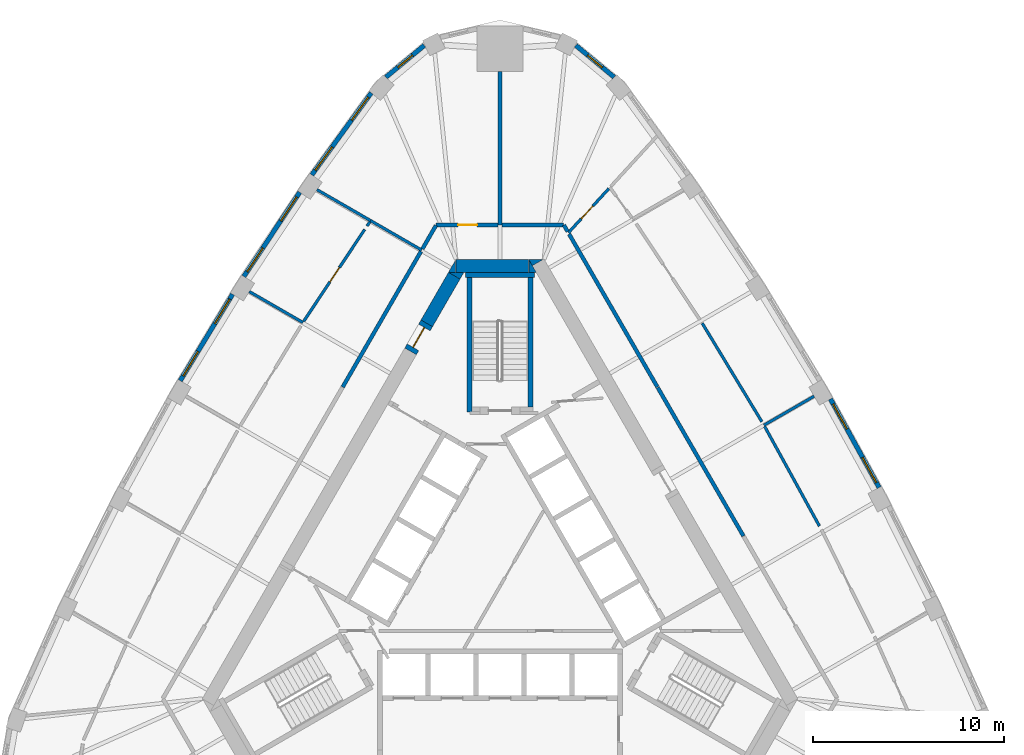
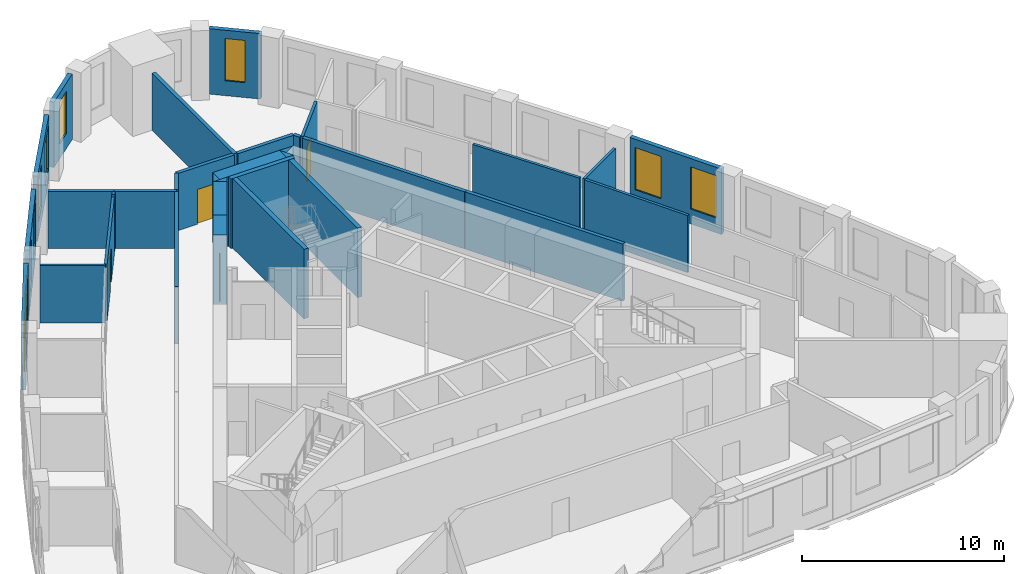
# One storey, part 8 of 11: 33 walls, 10 windows, 4 doors, 14 openings.
"""IFC4 building model written with IfcOpenShell, lengths in metres."""

from ifc_helpers import new_model, si_unit, direction, frame, frame_2d, origin, place, context, subcontext, project, spatial, polyline, rectangle, outline, extrude, material, layer, layer_set, type_object, element, fill, save


model = new_model("IFC4")

# Units and contexts
model_context = context("Model", 3, precision=1e-05, world=origin(), true_north=direction((0.0, 1.0)))
body_context = subcontext(model_context, "Body", "Model", "MODEL_VIEW")
ifc_project = project(units=[si_unit("LENGTHUNIT", "METRE"), si_unit("AREAUNIT", "SQUARE_METRE"), si_unit("VOLUMEUNIT", "CUBIC_METRE"), si_unit("PLANEANGLEUNIT", "RADIAN"), si_unit("MASSUNIT", "GRAM", prefix="KILO")], contexts=[model_context])

# Site, building, storey
site_placement = place(None, origin())
site = spatial("IfcSite", under=ifc_project, at=site_placement, CompositionType="ELEMENT")
building_placement = place(site_placement, origin())
building = spatial("IfcBuilding", under=site, at=building_placement, Name="Mestral Congress Tower", CompositionType="ELEMENT")
storey_placement = place(building_placement, frame((0.0, 0.0, 210.0)))
storey = spatial("IfcBuildingStorey", under=building, at=storey_placement, Name="L49", CompositionType="ELEMENT", Elevation=210.0)

# Walls
ifc_material_1 = material(Name="Concrete C60/75", Category="concrete")
ifc_layer_1 = layer(ifc_material_1, 0.699951171875)
ifc_layer_set_1 = layer_set([ifc_layer_1], Name="Concrete C60/75")
wall_type_1 = type_object("IfcWallType", Name="Core wall RC 700", PredefinedType="SOLIDWALL", material=ifc_layer_set_1)
placement = place(storey_placement, origin())
element("IfcWall", 1, at=placement, inside=storey, type_object=wall_type_1, Name="L49 core wall", PredefinedType="SOLIDWALL", context=body_context, shape_type="SweptSolid", body=[
    extrude(outline(polyline([(1.501220703125, 16.699951171875), (2.277099609375, 16.699951171875), (1.695068359375, 16.364013671875), (1.501220703125, 16.699951171875)])), origin(), (0.0, 0.0, 1.0), 4.199951171875),
])
wall_2_placement = place(storey_placement, frame((-2.323486328125, 16.35009765625, 0.0), z_axis=(0.0, 0.0, 1.0), x_axis=(1.0, 0.0, 0.0)))
element("IfcWall", 2, at=wall_2_placement, inside=storey, type_object=wall_type_1, Name="L49 core wall", PredefinedType="SOLIDWALL", context=body_context, shape_type="SweptSolid", body=[
    extrude(rectangle(XDim=3.828857421875, YDim=0.699951171875, at=frame_2d((1.91455078125, 0.0))), origin(), (0.0, 0.0, 1.0), 4.199951171875),
])
element("IfcWall", 3, at=placement, inside=storey, type_object=wall_type_1, Name="L49 core wall", PredefinedType="SOLIDWALL", context=body_context, shape_type="SweptSolid", body=[
    extrude(outline(polyline([(1.9052734375, 16.0), (1.50732421875, 16.0), (1.50732421875, 16.689208984375), (1.9052734375, 16.0)])), origin(), (0.0, 0.0, 1.0), 4.199951171875),
])
element("IfcWall", 4, at=placement, inside=storey, type_object=wall_type_1, Name="L49 core wall", PredefinedType="SOLIDWALL", context=body_context, shape_type="SweptSolid", body=[
    extrude(outline(polyline([(-2.71337890625, 16.0), (-2.325439453125, 16.672119140625), (-2.325439453125, 16.0), (-2.71337890625, 16.0)])), origin(), (0.0, 0.0, 1.0), 4.199951171875),
])
wall_5_placement = place(storey_placement, frame((-2.4033203125, 15.837158203125, 0.0), z_axis=(0.0, 0.0, 1.0), x_axis=(-0.500008214683, -0.866020660983, 0.0)))
element("IfcWall", 5, at=wall_5_placement, inside=storey, type_object=wall_type_1, Name="L49 core wall", PredefinedType="SOLIDWALL", context=body_context, shape_type="SweptSolid", body=[
    extrude(rectangle(XDim=2.88427734375, YDim=0.699951171875, at=frame_2d((1.442138671875, 0.0))), origin(), (0.0, 0.0, 1.0), 4.199951171875),
])
element("IfcWall", 6, at=placement, inside=storey, type_object=wall_type_1, Name="L49 core wall", PredefinedType="SOLIDWALL", context=body_context, shape_type="SweptSolid", body=[
    extrude(outline(polyline([(-1.9052734375, 16.0), (-2.099365234375, 15.6640625), (-2.681396484375, 16.0), (-1.9052734375, 16.0)])), origin(), (0.0, 0.0, 1.0), 4.199951171875),
])

# Wall, opening, door
wall_7_placement = place(storey_placement, frame((-4.695556640625, 11.866943359375, 0.0), z_axis=(0.0, 0.0, 1.0), x_axis=(0.499892348375, 0.866087547558, 0.0)))
wall_7 = element("IfcWall", 7, at=wall_7_placement, inside=storey, type_object=wall_type_1, Name="L49 door wall", PredefinedType="SOLIDWALL", context=body_context, shape_type="SweptSolid", body=[
    extrude(rectangle(XDim=1.699951171875, YDim=0.699951171875, at=frame_2d((0.85009765625, 0.0))), origin(), (0.0, 0.0, 1.0), 4.199951171875),
])
opening_1_placement = place(wall_7_placement, frame((0.25, 0.0, 0.0)))
opening_1 = element("IfcOpeningElement", 8, at=opening_1_placement, cuts=wall_7, Name="Opening XD2", PredefinedType="OPENING", context=body_context, shape_type="SweptSolid", body=[
    extrude(rectangle(XDim=1.199951171875, YDim=2.10009765625, at=frame_2d((0.60009765625, 1.050048828125))), frame((0.0, 0.35986328125, 0.0), z_axis=(0.0, -1.0, 0.0), x_axis=(1.0, 0.0, 0.0)), (0.0, 0.0, 1.0), 0.719970703125),
])
ifc_material_2 = material(Name="Fire-rated steel door set", Category="steel")
door_type_1 = type_object("IfcDoorType", Name="Core door XD 1200x2100", OperationType="SINGLE_SWING_LEFT", PredefinedType="DOOR", material=ifc_material_2)
door_1_placement = place(opening_1_placement, origin())
door_1 = element("IfcDoor", 9, at=door_1_placement, inside=storey, type_object=door_type_1, Name="Door XD2", OperationType="SINGLE_SWING_LEFT", OverallHeight=2.10009765625, OverallWidth=1.199951171875, PredefinedType="DOOR", context=body_context, shape_type="SweptSolid", body=[
    extrude(rectangle(XDim=1.199951171875, YDim=2.10009765625, at=frame_2d((0.60009765625, 1.050048828125))), frame((0.0, 0.02490234375, 0.0), z_axis=(0.0, -1.0, 0.0), x_axis=(1.0, 0.0, 0.0)), (0.0, 0.0, 1.0), 0.050048828125),
])
fill(opening_1, door_1)

# Wall, openings, windows
ifc_material_3 = material(Name="Precast concrete C40/50 with limestone facing", Category="masonry")
ifc_layer_2 = layer(ifc_material_3, 0.239990234375)
ifc_layer_set_2 = layer_set([ifc_layer_2], Name="Precast concrete C40/50 with limestone facing")
wall_type_2 = type_object("IfcWallType", Name="Facade stone wall 240", PredefinedType="SOLIDWALL", material=ifc_layer_set_2)
wall_8_placement = place(storey_placement, frame((19.8916015625, 4.725341796875, 0.0), z_axis=(0.0, 0.0, 1.0), x_axis=(-0.481925825015, 0.876212017256, 0.0)))
wall_8 = element("IfcWall", 10, at=wall_8_placement, inside=storey, type_object=wall_type_2, Name="Facade wall F1-02", PredefinedType="SOLIDWALL", context=body_context, shape_type="SweptSolid", body=[
    extrude(rectangle(XDim=5.298583984375, YDim=0.239990234375, at=frame_2d((2.6494140625, 0.0))), origin(), (0.0, 0.0, 1.0), 3.949951171875),
])
opening_2_placement = place(wall_8_placement, frame((0.294677734375, 0.0, 0.89990234375)))
opening_2 = element("IfcOpeningElement", 11, at=opening_2_placement, cuts=wall_8, Name="Opening W4", PredefinedType="OPENING", context=body_context, shape_type="SweptSolid", body=[
    extrude(rectangle(XDim=1.5, YDim=2.550048828125, at=frame_2d((0.75, 1.27490234375))), frame((0.0, 0.1298828125, 0.0), z_axis=(0.0, -1.0, 0.0), x_axis=(1.0, 0.0, 0.0)), (0.0, 0.0, 1.0), 0.260009765625),
])
opening_3_placement = place(wall_8_placement, frame((3.503662109375, 0.0, 0.89990234375)))
opening_3 = element("IfcOpeningElement", 12, at=opening_3_placement, cuts=wall_8, Name="Opening W4", PredefinedType="OPENING", context=body_context, shape_type="SweptSolid", body=[
    extrude(rectangle(XDim=1.5, YDim=2.550048828125, at=frame_2d((0.75, 1.27490234375))), frame((0.0, 0.1298828125, 0.0), z_axis=(0.0, -1.0, 0.0), x_axis=(1.0, 0.0, 0.0)), (0.0, 0.0, 1.0), 0.260009765625),
])
ifc_material_4 = material(Name="Clear low-emissivity double glazing", Category="glass")
window_type_1 = type_object("IfcWindowType", Name="Facade punched window 1500 x 2550 sill 900", PartitioningType="SINGLE_PANEL", PredefinedType="WINDOW", material=ifc_material_4)
window_1_placement = place(opening_2_placement, origin())
window_1 = element("IfcWindow", 13, at=window_1_placement, inside=storey, type_object=window_type_1, Name="Window F1-02a", OverallHeight=2.550048828125, OverallWidth=1.5, PartitioningType="SINGLE_PANEL", PredefinedType="WINDOW", context=body_context, shape_type="SweptSolid", body=[
    extrude(rectangle(XDim=1.5, YDim=2.550048828125, at=frame_2d((0.75, 1.27490234375))), frame((0.0, 0.0400390625, 0.0), z_axis=(0.0, -1.0, 0.0), x_axis=(1.0, 0.0, 0.0)), (0.0, 0.0, 1.0), 0.06005859375),
])
fill(opening_2, window_1)
window_2_placement = place(opening_3_placement, origin())
window_2 = element("IfcWindow", 14, at=window_2_placement, inside=storey, type_object=window_type_1, Name="Window F1-02b", OverallHeight=2.550048828125, OverallWidth=1.5, PartitioningType="SINGLE_PANEL", PredefinedType="WINDOW", context=body_context, shape_type="SweptSolid", body=[
    extrude(rectangle(XDim=1.5, YDim=2.550048828125, at=frame_2d((0.75, 1.27490234375))), frame((0.0, 0.0400390625, 0.0), z_axis=(0.0, -1.0, 0.0), x_axis=(1.0, 0.0, 0.0)), (0.0, 0.0, 1.0), 0.06005859375),
])
fill(opening_3, window_2)

# Wall, opening, window
wall_9_placement = place(storey_placement, frame((5.986572265625, 26.259033203125, 0.0), z_axis=(0.0, 0.0, 1.0), x_axis=(-0.769990037733, 0.638055908045, 0.0)))
wall_9 = element("IfcWall", 15, at=wall_9_placement, inside=storey, type_object=wall_type_2, Name="Facade wall K1-0", PredefinedType="SOLIDWALL", context=body_context, shape_type="SweptSolid", body=[
    extrude(rectangle(XDim=2.609130859375, YDim=0.239990234375, at=frame_2d((1.3046875, 0.0))), origin(), (0.0, 0.0, 1.0), 3.949951171875),
])
opening_4_placement = place(wall_9_placement, frame((0.8046875, 0.0, 0.89990234375)))
opening_4 = element("IfcOpeningElement", 16, at=opening_4_placement, cuts=wall_9, Name="Opening W5", PredefinedType="OPENING", context=body_context, shape_type="SweptSolid", body=[
    extrude(rectangle(XDim=1.0, YDim=2.550048828125, at=frame_2d((0.5, 1.27490234375))), frame((0.0, 0.1298828125, 0.0), z_axis=(0.0, -1.0, 0.0), x_axis=(1.0, 0.0, 0.0)), (0.0, 0.0, 1.0), 0.260009765625),
])
window_type_2 = type_object("IfcWindowType", Name="Facade punched window 1000 x 2550 sill 900", PartitioningType="SINGLE_PANEL", PredefinedType="WINDOW", material=ifc_material_4)
window_3_placement = place(opening_4_placement, origin())
window_3 = element("IfcWindow", 17, at=window_3_placement, inside=storey, type_object=window_type_2, Name="Window K1-0", OverallHeight=2.550048828125, OverallWidth=1.0, PartitioningType="SINGLE_PANEL", PredefinedType="WINDOW", context=body_context, shape_type="SweptSolid", body=[
    extrude(rectangle(XDim=1.0, YDim=2.550048828125, at=frame_2d((0.5, 1.27490234375))), frame((0.0, 0.0400390625, 0.0), z_axis=(0.0, -1.0, 0.0), x_axis=(1.0, 0.0, 0.0)), (0.0, 0.0, 1.0), 0.06005859375),
])
fill(opening_4, window_3)

wall_10_placement = place(storey_placement, frame((-3.9775390625, 27.923828125, 0.0), z_axis=(0.0, 0.0, 1.0), x_axis=(-0.769990037733, -0.638055908045, 0.0)))
wall_10 = element("IfcWall", 18, at=wall_10_placement, inside=storey, type_object=wall_type_2, Name="Facade wall K1-3", PredefinedType="SOLIDWALL", context=body_context, shape_type="SweptSolid", body=[
    extrude(rectangle(XDim=2.609130859375, YDim=0.239990234375, at=frame_2d((1.3046875, 0.0))), origin(), (0.0, 0.0, 1.0), 3.949951171875),
])
opening_5_placement = place(wall_10_placement, frame((0.8046875, 0.0, 0.89990234375)))
opening_5 = element("IfcOpeningElement", 19, at=opening_5_placement, cuts=wall_10, Name="Opening W5", PredefinedType="OPENING", context=body_context, shape_type="SweptSolid", body=[
    extrude(rectangle(XDim=1.0, YDim=2.550048828125, at=frame_2d((0.5, 1.27490234375))), frame((0.0, 0.1298828125, 0.0), z_axis=(0.0, -1.0, 0.0), x_axis=(1.0, 0.0, 0.0)), (0.0, 0.0, 1.0), 0.260009765625),
])
window_4_placement = place(opening_5_placement, origin())
window_4 = element("IfcWindow", 20, at=window_4_placement, inside=storey, type_object=window_type_2, Name="Window K1-3", OverallHeight=2.550048828125, OverallWidth=1.0, PartitioningType="SINGLE_PANEL", PredefinedType="WINDOW", context=body_context, shape_type="SweptSolid", body=[
    extrude(rectangle(XDim=1.0, YDim=2.550048828125, at=frame_2d((0.5, 1.27490234375))), frame((0.0, 0.0400390625, 0.0), z_axis=(0.0, -1.0, 0.0), x_axis=(1.0, 0.0, 0.0)), (0.0, 0.0, 1.0), 0.06005859375),
])
fill(opening_5, window_4)

# Wall, openings, windows
wall_11_placement = place(storey_placement, frame((-6.760986328125, 25.431884765625, 0.0), z_axis=(0.0, 0.0, 1.0), x_axis=(-0.586998456641, -0.80958805074, 0.0)))
wall_11 = element("IfcWall", 21, at=wall_11_placement, inside=storey, type_object=wall_type_2, Name="Facade wall F2-00", PredefinedType="SOLIDWALL", context=body_context, shape_type="SweptSolid", body=[
    extrude(rectangle(XDim=5.310791015625, YDim=0.239990234375, at=frame_2d((2.6552734375, 0.0))), origin(), (0.0, 0.0, 1.0), 3.949951171875),
])
opening_6_placement = place(wall_11_placement, frame((0.271484375, 0.0, 0.89990234375)))
opening_6 = element("IfcOpeningElement", 22, at=opening_6_placement, cuts=wall_11, Name="Opening W4", PredefinedType="OPENING", context=body_context, shape_type="SweptSolid", body=[
    extrude(rectangle(XDim=1.5, YDim=2.550048828125, at=frame_2d((0.75, 1.27490234375))), frame((0.0, 0.1298828125, 0.0), z_axis=(0.0, -1.0, 0.0), x_axis=(1.0, 0.0, 0.0)), (0.0, 0.0, 1.0), 0.260009765625),
])
opening_7_placement = place(wall_11_placement, frame((3.50439453125, 0.0, 0.89990234375)))
opening_7 = element("IfcOpeningElement", 23, at=opening_7_placement, cuts=wall_11, Name="Opening W4", PredefinedType="OPENING", context=body_context, shape_type="SweptSolid", body=[
    extrude(rectangle(XDim=1.5, YDim=2.550048828125, at=frame_2d((0.75, 1.27490234375))), frame((0.0, 0.1298828125, 0.0), z_axis=(0.0, -1.0, 0.0), x_axis=(1.0, 0.0, 0.0)), (0.0, 0.0, 1.0), 0.260009765625),
])
window_5_placement = place(opening_6_placement, origin())
window_5 = element("IfcWindow", 24, at=window_5_placement, inside=storey, type_object=window_type_1, Name="Window F2-00a", OverallHeight=2.550048828125, OverallWidth=1.5, PartitioningType="SINGLE_PANEL", PredefinedType="WINDOW", context=body_context, shape_type="SweptSolid", body=[
    extrude(rectangle(XDim=1.5, YDim=2.550048828125, at=frame_2d((0.75, 1.27490234375))), frame((0.0, 0.0400390625, 0.0), z_axis=(0.0, -1.0, 0.0), x_axis=(1.0, 0.0, 0.0)), (0.0, 0.0, 1.0), 0.06005859375),
])
fill(opening_6, window_5)
window_6_placement = place(opening_7_placement, origin())
window_6 = element("IfcWindow", 25, at=window_6_placement, inside=storey, type_object=window_type_1, Name="Window F2-00b", OverallHeight=2.550048828125, OverallWidth=1.5, PartitioningType="SINGLE_PANEL", PredefinedType="WINDOW", context=body_context, shape_type="SweptSolid", body=[
    extrude(rectangle(XDim=1.5, YDim=2.550048828125, at=frame_2d((0.75, 1.27490234375))), frame((0.0, 0.0400390625, 0.0), z_axis=(0.0, -1.0, 0.0), x_axis=(1.0, 0.0, 0.0)), (0.0, 0.0, 1.0), 0.06005859375),
])
fill(opening_7, window_6)

wall_12_placement = place(storey_placement, frame((-10.5126953125, 20.21826171875, 0.0), z_axis=(0.0, 0.0, 1.0), x_axis=(-0.552901821755, -0.833246407433, 0.0)))
wall_12 = element("IfcWall", 26, at=wall_12_placement, inside=storey, type_object=wall_type_2, Name="Facade wall F2-01", PredefinedType="SOLIDWALL", context=body_context, shape_type="SweptSolid", body=[
    extrude(rectangle(XDim=5.29833984375, YDim=0.239990234375, at=frame_2d((2.649169921875, 0.0))), origin(), (0.0, 0.0, 1.0), 3.949951171875),
])
opening_8_placement = place(wall_12_placement, frame((0.29443359375, 0.0, 0.89990234375)))
opening_8 = element("IfcOpeningElement", 27, at=opening_8_placement, cuts=wall_12, Name="Opening W4", PredefinedType="OPENING", context=body_context, shape_type="SweptSolid", body=[
    extrude(rectangle(XDim=1.5, YDim=2.550048828125, at=frame_2d((0.75, 1.27490234375))), frame((0.0, 0.1298828125, 0.0), z_axis=(0.0, -1.0, 0.0), x_axis=(1.0, 0.0, 0.0)), (0.0, 0.0, 1.0), 0.260009765625),
])
opening_9_placement = place(wall_12_placement, frame((3.503662109375, 0.0, 0.89990234375)))
opening_9 = element("IfcOpeningElement", 28, at=opening_9_placement, cuts=wall_12, Name="Opening W4", PredefinedType="OPENING", context=body_context, shape_type="SweptSolid", body=[
    extrude(rectangle(XDim=1.5, YDim=2.550048828125, at=frame_2d((0.75, 1.27490234375))), frame((0.0, 0.1298828125, 0.0), z_axis=(0.0, -1.0, 0.0), x_axis=(1.0, 0.0, 0.0)), (0.0, 0.0, 1.0), 0.260009765625),
])
window_7_placement = place(opening_8_placement, origin())
window_7 = element("IfcWindow", 29, at=window_7_placement, inside=storey, type_object=window_type_1, Name="Window F2-01a", OverallHeight=2.550048828125, OverallWidth=1.5, PartitioningType="SINGLE_PANEL", PredefinedType="WINDOW", context=body_context, shape_type="SweptSolid", body=[
    extrude(rectangle(XDim=1.5, YDim=2.550048828125, at=frame_2d((0.75, 1.27490234375))), frame((0.0, 0.0400390625, 0.0), z_axis=(0.0, -1.0, 0.0), x_axis=(1.0, 0.0, 0.0)), (0.0, 0.0, 1.0), 0.06005859375),
])
fill(opening_8, window_7)
window_8_placement = place(opening_9_placement, origin())
window_8 = element("IfcWindow", 30, at=window_8_placement, inside=storey, type_object=window_type_1, Name="Window F2-01b", OverallHeight=2.550048828125, OverallWidth=1.5, PartitioningType="SINGLE_PANEL", PredefinedType="WINDOW", context=body_context, shape_type="SweptSolid", body=[
    extrude(rectangle(XDim=1.5, YDim=2.550048828125, at=frame_2d((0.75, 1.27490234375))), frame((0.0, 0.0400390625, 0.0), z_axis=(0.0, -1.0, 0.0), x_axis=(1.0, 0.0, 0.0)), (0.0, 0.0, 1.0), 0.06005859375),
])
fill(opening_9, window_8)

wall_13_placement = place(storey_placement, frame((-14.0380859375, 14.86376953125, 0.0), z_axis=(0.0, 0.0, 1.0), x_axis=(-0.517846166225, -0.855473756538, 0.0)))
wall_13 = element("IfcWall", 31, at=wall_13_placement, inside=storey, type_object=wall_type_2, Name="Facade wall F2-02", PredefinedType="SOLIDWALL", context=body_context, shape_type="SweptSolid", body=[
    extrude(rectangle(XDim=5.298095703125, YDim=0.239990234375, at=frame_2d((2.64892578125, 0.0))), origin(), (0.0, 0.0, 1.0), 3.949951171875),
])
opening_10_placement = place(wall_13_placement, frame((0.29443359375, 0.0, 0.89990234375)))
opening_10 = element("IfcOpeningElement", 32, at=opening_10_placement, cuts=wall_13, Name="Opening W4", PredefinedType="OPENING", context=body_context, shape_type="SweptSolid", body=[
    extrude(rectangle(XDim=1.5, YDim=2.550048828125, at=frame_2d((0.75, 1.27490234375))), frame((0.0, 0.1298828125, 0.0), z_axis=(0.0, -1.0, 0.0), x_axis=(1.0, 0.0, 0.0)), (0.0, 0.0, 1.0), 0.260009765625),
])
opening_11_placement = place(wall_13_placement, frame((3.503662109375, 0.0, 0.89990234375)))
opening_11 = element("IfcOpeningElement", 33, at=opening_11_placement, cuts=wall_13, Name="Opening W4", PredefinedType="OPENING", context=body_context, shape_type="SweptSolid", body=[
    extrude(rectangle(XDim=1.5, YDim=2.550048828125, at=frame_2d((0.75, 1.27490234375))), frame((0.0, 0.1298828125, 0.0), z_axis=(0.0, -1.0, 0.0), x_axis=(1.0, 0.0, 0.0)), (0.0, 0.0, 1.0), 0.260009765625),
])
window_9_placement = place(opening_10_placement, origin())
window_9 = element("IfcWindow", 34, at=window_9_placement, inside=storey, type_object=window_type_1, Name="Window F2-02a", OverallHeight=2.550048828125, OverallWidth=1.5, PartitioningType="SINGLE_PANEL", PredefinedType="WINDOW", context=body_context, shape_type="SweptSolid", body=[
    extrude(rectangle(XDim=1.5, YDim=2.550048828125, at=frame_2d((0.75, 1.27490234375))), frame((0.0, 0.0400390625, 0.0), z_axis=(0.0, -1.0, 0.0), x_axis=(1.0, 0.0, 0.0)), (0.0, 0.0, 1.0), 0.06005859375),
])
fill(opening_10, window_9)
window_10_placement = place(opening_11_placement, origin())
window_10 = element("IfcWindow", 35, at=window_10_placement, inside=storey, type_object=window_type_1, Name="Window F2-02b", OverallHeight=2.550048828125, OverallWidth=1.5, PartitioningType="SINGLE_PANEL", PredefinedType="WINDOW", context=body_context, shape_type="SweptSolid", body=[
    extrude(rectangle(XDim=1.5, YDim=2.550048828125, at=frame_2d((0.75, 1.27490234375))), frame((0.0, 0.0400390625, 0.0), z_axis=(0.0, -1.0, 0.0), x_axis=(1.0, 0.0, 0.0)), (0.0, 0.0, 1.0), 0.06005859375),
])
fill(opening_11, window_10)

# Walls
ifc_material_5 = material(Name="Plasterboard partition on steel studs", Category="steel")
ifc_layer_3 = layer(ifc_material_5, 0.14990234375)
ifc_layer_set_3 = layer_set([ifc_layer_3], Name="Plasterboard partition on steel studs")
wall_type_3 = type_object("IfcWallType", Name="Office partition 150", PredefinedType="PARTITIONING", material=ifc_layer_set_3)
wall_14_placement = place(storey_placement, frame((13.84765625, 7.9951171875, 0.0), z_axis=(0.0, 0.0, 1.0), x_axis=(0.86603583403, 0.49998193385, 0.0)))
element("IfcWall", 36, at=wall_14_placement, inside=storey, type_object=wall_type_3, Name="Partition", PredefinedType="PARTITIONING", context=body_context, shape_type="SweptSolid", body=[
    extrude(rectangle(XDim=3.04052734375, YDim=0.14990234375, at=frame_2d((1.520263671875, 0.0))), origin(), (0.0, 0.0, 1.0), 3.449951171875),
])
wall_15_placement = place(storey_placement, frame((16.759521484375, 2.700439453125, 0.0), z_axis=(0.0, 0.0, 1.0), x_axis=(-0.481907755985, 0.876221955169, 0.0)))
element("IfcWall", 37, at=wall_15_placement, inside=storey, type_object=wall_type_3, Name="Partition", PredefinedType="PARTITIONING", context=body_context, shape_type="SweptSolid", body=[
    extrude(rectangle(XDim=5.96728515625, YDim=0.14990234375, at=frame_2d((2.983642578125, 0.0))), origin(), (0.0, 0.0, 1.0), 3.449951171875),
])
wall_16_placement = place(storey_placement, frame((13.73681640625, 8.17822265625, 0.0), z_axis=(0.0, 0.0, 1.0), x_axis=(-0.517884383874, 0.855450620983, 0.0)))
element("IfcWall", 38, at=wall_16_placement, inside=storey, type_object=wall_type_3, Name="Partition", PredefinedType="PARTITIONING", context=body_context, shape_type="SweptSolid", body=[
    extrude(rectangle(XDim=6.042724609375, YDim=0.14990234375, at=frame_2d((3.021484375, 0.0))), origin(), (0.0, 0.0, 1.0), 3.449951171875),
])

# Wall, opening, door
wall_17_placement = place(storey_placement, frame((3.584716796875, 18.09130859375, 0.0), z_axis=(0.0, 0.0, 1.0), x_axis=(0.675657922277, 0.737215282034, 0.0)))
wall_17 = element("IfcWall", 39, at=wall_17_placement, inside=storey, type_object=wall_type_3, Name="Partition", PredefinedType="PARTITIONING", context=body_context, shape_type="SweptSolid", body=[
    extrude(rectangle(XDim=3.149169921875, YDim=0.14990234375, at=frame_2d((1.57470703125, 0.0))), origin(), (0.0, 0.0, 1.0), 3.449951171875),
])
opening_12_placement = place(wall_17_placement, frame((1.0, 0.0, 0.0)))
opening_12 = element("IfcOpeningElement", 40, at=opening_12_placement, cuts=wall_17, Name="Opening O06-010", PredefinedType="OPENING", context=body_context, shape_type="SweptSolid", body=[
    extrude(rectangle(XDim=0.89990234375, YDim=2.10009765625, at=frame_2d((0.449951171875, 1.050048828125))), frame((0.0, 0.0849609375, 0.0), z_axis=(0.0, -1.0, 0.0), x_axis=(1.0, 0.0, 0.0)), (0.0, 0.0, 1.0), 0.169921875),
])
ifc_material_6 = material(Name="Timber door set", Category="wood")
door_type_2 = type_object("IfcDoorType", Name="Office door 900x2100", OperationType="SINGLE_SWING_LEFT", PredefinedType="DOOR", material=ifc_material_6)
door_2_placement = place(opening_12_placement, origin())
door_2 = element("IfcDoor", 41, at=door_2_placement, inside=storey, type_object=door_type_2, Name="Door O06-010", OperationType="SINGLE_SWING_LEFT", OverallHeight=2.10009765625, OverallWidth=0.89990234375, PredefinedType="DOOR", context=body_context, shape_type="SweptSolid", body=[
    extrude(rectangle(XDim=0.89990234375, YDim=2.10009765625, at=frame_2d((0.449951171875, 1.050048828125))), frame((0.0, 0.02490234375, 0.0), z_axis=(0.0, -1.0, 0.0), x_axis=(1.0, 0.0, 0.0)), (0.0, 0.0, 1.0), 0.050048828125),
])
fill(opening_12, door_2)

# Walls
wall_18_placement = place(storey_placement, frame((-6.780029296875, 18.720703125, 0.0), z_axis=(0.0, 0.0, 1.0), x_axis=(-0.866019875663, 0.500009574865, 0.0)))
element("IfcWall", 42, at=wall_18_placement, inside=storey, type_object=wall_type_3, Name="Partition", PredefinedType="PARTITIONING", context=body_context, shape_type="SweptSolid", body=[
    extrude(rectangle(XDim=3.26318359375, YDim=0.14990234375, at=frame_2d((1.631591796875, 0.0))), origin(), (0.0, 0.0, 1.0), 3.449951171875),
])
wall_19_placement = place(storey_placement, frame((-4.11083984375, 17.1796875, 0.0), z_axis=(0.0, 0.0, 1.0), x_axis=(-0.866022449854, 0.500005116322, 0.0)))
element("IfcWall", 43, at=wall_19_placement, inside=storey, type_object=wall_type_3, Name="Partition", PredefinedType="PARTITIONING", context=body_context, shape_type="SweptSolid", body=[
    extrude(rectangle(XDim=3.09033203125, YDim=0.14990234375, at=frame_2d((1.545166015625, 0.0))), origin(), (0.0, 0.0, 1.0), 3.449951171875),
])
wall_20_placement = place(storey_placement, frame((-10.344482421875, 13.3818359375, 0.0), z_axis=(0.0, 0.0, 1.0), x_axis=(-0.865990253757, 0.500060876692, 0.0)))
element("IfcWall", 44, at=wall_20_placement, inside=storey, type_object=wall_type_3, Name="Partition", PredefinedType="PARTITIONING", context=body_context, shape_type="SweptSolid", body=[
    extrude(rectangle(XDim=3.2470703125, YDim=0.14990234375, at=frame_2d((1.62353515625, 0.0))), origin(), (0.0, 0.0, 1.0), 3.449951171875),
])
wall_21_placement = place(storey_placement, frame((-6.827880859375, 18.66162109375, 0.0), z_axis=(0.0, 0.0, 1.0), x_axis=(-0.586967571461, -0.809610443394, 0.0)))
element("IfcWall", 45, at=wall_21_placement, inside=storey, type_object=wall_type_3, Name="Partition", PredefinedType="PARTITIONING", context=body_context, shape_type="SweptSolid", body=[
    extrude(rectangle(XDim=0.265380859375, YDim=0.14990234375, at=frame_2d((0.1328125, 0.0))), origin(), (0.0, 0.0, 1.0), 3.449951171875),
])

# Wall, opening, door
wall_22_placement = place(storey_placement, frame((-10.302978515625, 13.444580078125, 0.0), z_axis=(0.0, 0.0, 1.0), x_axis=(0.552908115949, 0.833242230878, 0.0)))
wall_22 = element("IfcWall", 46, at=wall_22_placement, inside=storey, type_object=wall_type_3, Name="Partition", PredefinedType="PARTITIONING", context=body_context, shape_type="SweptSolid", body=[
    extrude(rectangle(XDim=5.788818359375, YDim=0.14990234375, at=frame_2d((2.89453125, 0.0))), origin(), (0.0, 0.0, 1.0), 3.449951171875),
])
opening_13_placement = place(wall_22_placement, frame((2.489013671875, 0.0, 0.0)))
opening_13 = element("IfcOpeningElement", 47, at=opening_13_placement, cuts=wall_22, Name="Opening O06-012", PredefinedType="OPENING", context=body_context, shape_type="SweptSolid", body=[
    extrude(rectangle(XDim=0.89990234375, YDim=2.10009765625, at=frame_2d((0.449951171875, 1.050048828125))), frame((0.0, 0.0849609375, 0.0), z_axis=(0.0, -1.0, 0.0), x_axis=(1.0, 0.0, 0.0)), (0.0, 0.0, 1.0), 0.169921875),
])
door_3_placement = place(opening_13_placement, origin())
door_3 = element("IfcDoor", 48, at=door_3_placement, inside=storey, type_object=door_type_2, Name="Door O06-012", OperationType="SINGLE_SWING_RIGHT", OverallHeight=2.10009765625, OverallWidth=0.89990234375, PredefinedType="DOOR", context=body_context, shape_type="SweptSolid", body=[
    extrude(rectangle(XDim=0.89990234375, YDim=2.10009765625, at=frame_2d((0.449951171875, 1.050048828125))), frame((0.0, 0.02490234375, 0.0), z_axis=(0.0, -1.0, 0.0), x_axis=(1.0, 0.0, 0.0)), (0.0, 0.0, 1.0), 0.050048828125),
])
fill(opening_13, door_3)

# Walls
ifc_material_7 = material(Name="Dense masonry wall, plastered", Category="masonry")
ifc_layer_4 = layer(ifc_material_7, 0.199951171875)
ifc_layer_set_4 = layer_set([ifc_layer_4], Name="Dense masonry wall, plastered")
wall_type_4 = type_object("IfcWallType", Name="Office tenancy wall 200", PredefinedType="PARTITIONING", material=ifc_layer_set_4)
wall_23_placement = place(storey_placement, frame((12.772216796875, 2.177978515625, 0.0), z_axis=(0.0, 0.0, 1.0), x_axis=(-0.5000018851, 0.866024315419, 0.0)))
element("IfcWall", 49, at=wall_23_placement, inside=storey, type_object=wall_type_4, Name="Tenancy wall", PredefinedType="PARTITIONING", context=body_context, shape_type="SweptSolid", body=[
    extrude(rectangle(XDim=9.0, YDim=0.199951171875, at=frame_2d((4.5, 0.0))), origin(), (0.0, 0.0, 1.0), 3.449951171875),
])
wall_24_placement = place(storey_placement, frame((8.257080078125, 9.998046875, 0.0), z_axis=(0.0, 0.0, 1.0), x_axis=(-0.499998405424, 0.866026324412, 0.0)))
element("IfcWall", 50, at=wall_24_placement, inside=storey, type_object=wall_type_4, Name="Tenancy wall", PredefinedType="PARTITIONING", context=body_context, shape_type="SweptSolid", body=[
    extrude(rectangle(XDim=9.2666015625, YDim=0.199951171875, at=frame_2d((4.63330078125, 0.0))), origin(), (0.0, 0.0, 1.0), 3.449951171875),
])
wall_25_placement = place(storey_placement, frame((0.0, 18.5, 0.0), z_axis=(0.0, 0.0, 1.0), x_axis=(0.0, 1.0, 0.0)))
element("IfcWall", 51, at=wall_25_placement, inside=storey, type_object=wall_type_4, Name="Tenancy wall", PredefinedType="PARTITIONING", context=body_context, shape_type="SweptSolid", body=[
    extrude(rectangle(XDim=8.04443359375, YDim=0.199951171875, at=frame_2d((4.022216796875, 0.0))), origin(), (0.0, 0.0, 1.0), 3.449951171875),
])
wall_26_placement = place(storey_placement, frame((3.54541015625, 18.159423828125, 0.0), z_axis=(0.0, 0.0, 1.0), x_axis=(-0.500277597875, 0.865865073245, 0.0)))
element("IfcWall", 52, at=wall_26_placement, inside=storey, type_object=wall_type_4, Name="Tenancy wall", PredefinedType="PARTITIONING", context=body_context, shape_type="SweptSolid", body=[
    extrude(rectangle(XDim=0.393310546875, YDim=0.199951171875, at=frame_2d((0.19677734375, 0.0))), origin(), (0.0, 0.0, 1.0), 3.449951171875),
])
wall_27_placement = place(storey_placement, frame((3.318603515625, 18.5, 0.0), z_axis=(0.0, 0.0, 1.0), x_axis=(-1.0, 0.0, 0.0)))
element("IfcWall", 53, at=wall_27_placement, inside=storey, type_object=wall_type_4, Name="Tenancy wall", PredefinedType="PARTITIONING", context=body_context, shape_type="SweptSolid", body=[
    extrude(rectangle(XDim=3.218505859375, YDim=0.199951171875, at=frame_2d((1.609375, 0.0))), origin(), (0.0, 0.0, 1.0), 3.449951171875),
])

# Wall, opening, door
wall_28_placement = place(storey_placement, frame((-0.10009765625, 18.5, 0.0), z_axis=(0.0, 0.0, 1.0), x_axis=(-1.0, 0.0, 0.0)))
wall_28 = element("IfcWall", 54, at=wall_28_placement, inside=storey, type_object=wall_type_4, Name="Tenancy wall", PredefinedType="PARTITIONING", context=body_context, shape_type="SweptSolid", body=[
    extrude(rectangle(XDim=3.24853515625, YDim=0.199951171875, at=frame_2d((1.624267578125, 0.0))), origin(), (0.0, 0.0, 1.0), 3.449951171875),
])
opening_14_placement = place(wall_28_placement, frame((1.10009765625, 0.0, 0.0)))
opening_14 = element("IfcOpeningElement", 55, at=opening_14_placement, cuts=wall_28, Name="Opening O06-011", PredefinedType="OPENING", context=body_context, shape_type="SweptSolid", body=[
    extrude(rectangle(XDim=1.0, YDim=2.10009765625, at=frame_2d((0.5, 1.050048828125))), frame((0.0, 0.10986328125, 0.0), z_axis=(0.0, -1.0, 0.0), x_axis=(1.0, 0.0, 0.0)), (0.0, 0.0, 1.0), 0.219970703125),
])
ifc_material_8 = material(Name="Fire-rated timber door set", Category="wood")
door_type_3 = type_object("IfcDoorType", Name="Office tenancy entrance door 1000x2100", OperationType="SINGLE_SWING_LEFT", PredefinedType="DOOR", material=ifc_material_8)
door_4_placement = place(opening_14_placement, origin())
door_4 = element("IfcDoor", 56, at=door_4_placement, inside=storey, type_object=door_type_3, Name="Door O06-011", OperationType="SINGLE_SWING_LEFT", OverallHeight=2.10009765625, OverallWidth=1.0, PredefinedType="DOOR", context=body_context, shape_type="SweptSolid", body=[
    extrude(rectangle(XDim=1.0, YDim=2.10009765625, at=frame_2d((0.5, 1.050048828125))), frame((0.0, 0.02490234375, 0.0), z_axis=(0.0, -1.0, 0.0), x_axis=(1.0, 0.0, 0.0)), (0.0, 0.0, 1.0), 0.050048828125),
])
fill(opening_14, door_4)

# Walls
wall_29_placement = place(storey_placement, frame((-3.363525390625, 18.47412109375, 0.0), z_axis=(0.0, 0.0, 1.0), x_axis=(-0.500059846627, -0.865990848561, 0.0)))
element("IfcWall", 57, at=wall_29_placement, inside=storey, type_object=wall_type_4, Name="Tenancy wall", PredefinedType="PARTITIONING", context=body_context, shape_type="SweptSolid", body=[
    extrude(rectangle(XDim=1.419677734375, YDim=0.199951171875, at=frame_2d((0.7099609375, 0.0))), origin(), (0.0, 0.0, 1.0), 3.449951171875),
])
wall_30_placement = place(storey_placement, frame((-4.1484375, 17.11474609375, 0.0), z_axis=(0.0, 0.0, 1.0), x_axis=(-0.499983057696, -0.866035185207, 0.0)))
element("IfcWall", 58, at=wall_30_placement, inside=storey, type_object=wall_type_4, Name="Tenancy wall", PredefinedType="PARTITIONING", context=body_context, shape_type="SweptSolid", body=[
    extrude(rectangle(XDim=8.217529296875, YDim=0.199951171875, at=frame_2d((4.10888671875, 0.0))), origin(), (0.0, 0.0, 1.0), 3.449951171875),
])
ifc_layer_5 = layer(ifc_material_1, 0.25)
ifc_layer_set_5 = layer_set([ifc_layer_5], Name="Concrete C60/75")
wall_type_5 = type_object("IfcWallType", Name="Stair wall RC 250", PredefinedType="SOLIDWALL", material=ifc_layer_set_5)
wall_31_placement = place(storey_placement, frame((-1.81689453125, 15.875, 0.0), z_axis=(0.0, 0.0, 1.0), x_axis=(1.0, 0.0, 0.0)))
element("IfcWall", 59, at=wall_31_placement, inside=storey, type_object=wall_type_5, Name="L49 core wall", PredefinedType="SOLIDWALL", context=body_context, shape_type="SweptSolid", body=[
    extrude(rectangle(XDim=3.6337890625, YDim=0.25, at=frame_2d((1.81689453125, 0.0))), origin(), (0.0, 0.0, 1.0), 4.199951171875),
])
wall_32_placement = place(storey_placement, frame((1.60009765625, 8.949951171875, 0.0), z_axis=(0.0, 0.0, 1.0), x_axis=(0.0, 1.0, 0.0)))
element("IfcWall", 60, at=wall_32_placement, inside=storey, type_object=wall_type_5, Name="L49 core wall", PredefinedType="SOLIDWALL", context=body_context, shape_type="SweptSolid", body=[
    extrude(rectangle(XDim=6.800048828125, YDim=0.25, at=frame_2d((3.39990234375, 0.0))), origin(), (0.0, 0.0, 1.0), 4.199951171875),
])
wall_33_placement = place(storey_placement, frame((-1.60009765625, 8.699951171875, 0.0), z_axis=(0.0, 0.0, 1.0), x_axis=(0.0, 1.0, 0.0)))
element("IfcWall", 61, at=wall_33_placement, inside=storey, type_object=wall_type_5, Name="L49 core wall", PredefinedType="SOLIDWALL", context=body_context, shape_type="SweptSolid", body=[
    extrude(rectangle(XDim=7.050048828125, YDim=0.25, at=frame_2d((3.52490234375, 0.0))), origin(), (0.0, 0.0, 1.0), 4.199951171875),
])

save(model, "model.ifc")
